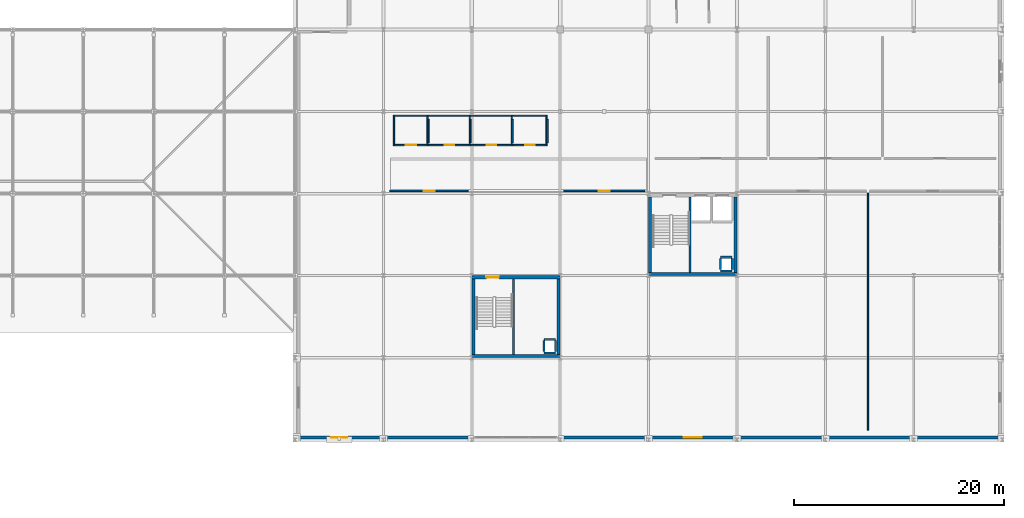
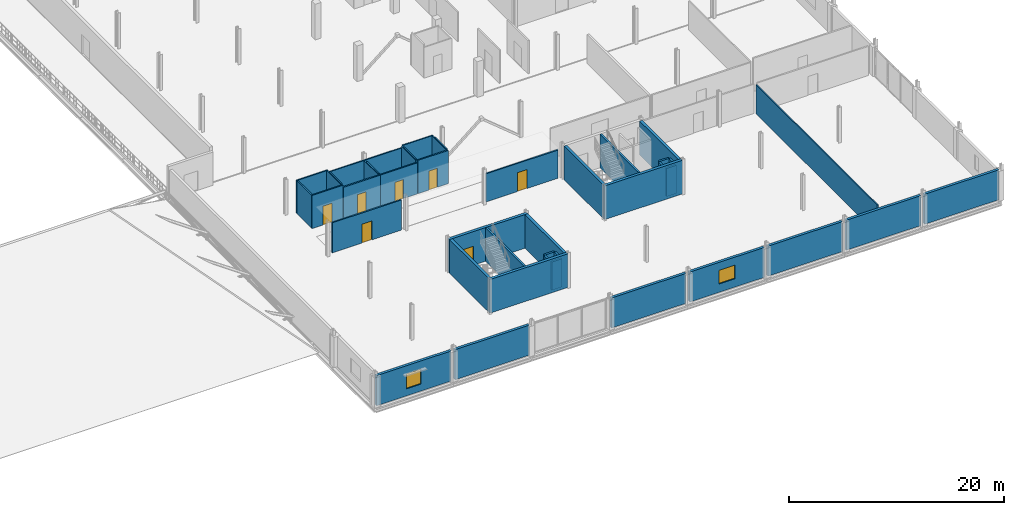
# One storey, part 58 of 77: 44 walls, 7 doors, 2 windows, 9 openings.
"""IFC4 building model written with IfcOpenShell, lengths in metres."""

from ifc_helpers import new_model, si_unit, direction, frame, frame_2d, origin, place, context, subcontext, project, spatial, rectangle, extrude, material, layer, layer_set, type_object, element, fill, save


model = new_model("IFC4")

# Units and contexts
model_context = context("Model", 3, precision=1e-05, world=origin(), true_north=direction((0.0, 1.0)))
body_context = subcontext(model_context, "Body", "Model", "MODEL_VIEW")
ifc_project = project(units=[si_unit("LENGTHUNIT", "METRE"), si_unit("AREAUNIT", "SQUARE_METRE"), si_unit("VOLUMEUNIT", "CUBIC_METRE"), si_unit("PLANEANGLEUNIT", "RADIAN"), si_unit("MASSUNIT", "GRAM", prefix="KILO")], contexts=[model_context])

# Site, building, storey
site_placement = place(None, origin())
site = spatial("IfcSite", under=ifc_project, at=site_placement, CompositionType="ELEMENT")
building_placement = place(site_placement, origin())
building = spatial("IfcBuilding", under=site, at=building_placement, Name="Nabrawat Pavilion Hospital", CompositionType="ELEMENT")
storey_placement = place(building_placement, frame((0.0, 0.0, 14.85009765625)))
storey = spatial("IfcBuildingStorey", under=building, at=storey_placement, Name="L03", CompositionType="ELEMENT", Elevation=14.85009765625)

# Wall, opening, door
ifc_material_1 = material(Name="Gypsum Fireboard on Steel Stud", Category="steel")
ifc_layer_1 = layer(ifc_material_1, 0.14990234375, Name="Gypsum Fireboard on Steel Stud")
ifc_layer_set_1 = layer_set([ifc_layer_1], Name="Gypsum Fireboard on Steel Stud")
wall_type_1 = type_object("IfcWallType", Name="Clinical Corridor Smoke-Barrier Wall 150", PredefinedType="PARTITIONING", material=ifc_layer_set_1)
wall_1_placement = place(storey_placement, frame((135.3349609375, 28.0, 0.0), z_axis=(0.0, 0.0, 1.0), x_axis=(1.0, 0.0, 0.0)))
wall_1 = element("IfcWall", 1, at=wall_1_placement, inside=storey, type_object=wall_type_1, Name="L03 L03 Accessible WC Front Partition", PredefinedType="PARTITIONING", context=body_context, shape_type="SweptSolid", body=[
    extrude(rectangle(XDim=3.330078125, YDim=0.14990234375, at=frame_2d((1.6650390625, 0.0))), origin(), (0.0, 0.0, 1.0), 3.77001953125),
])
opening_1_placement = place(wall_1_placement, frame((1.1650390625, 0.0, 0.0)))
opening_1 = element("IfcOpeningElement", 2, at=opening_1_placement, cuts=wall_1, Name="Opening D-WC-ACC", PredefinedType="OPENING", context=body_context, shape_type="SweptSolid", body=[
    extrude(rectangle(XDim=1.0, YDim=2.14990234375, at=frame_2d((0.5, 1.074951171875))), frame((0.0, 0.0849609375, 0.0), z_axis=(0.0, -1.0, 0.0), x_axis=(1.0, 0.0, 0.0)), (0.0, 0.0, 1.0), 0.169921875),
])
ifc_material_2 = material(Name="Stainless-Clad Acoustic Timber and Vision Glass", Category="wood")
door_type_1 = type_object("IfcDoorType", Name="Accessible Washroom Outward Door 1000x2150", OperationType="NOTDEFINED", PredefinedType="DOOR", material=ifc_material_2)
door_1_placement = place(opening_1_placement, origin())
door_1 = element("IfcDoor", 3, at=door_1_placement, inside=storey, type_object=door_type_1, Name="L03 Accessible WC Door", OperationType="SINGLE_SWING_LEFT", OverallHeight=2.14990234375, OverallWidth=1.0, PredefinedType="DOOR", context=body_context, shape_type="SweptSolid", body=[
    extrude(rectangle(XDim=1.0, YDim=2.14990234375, at=frame_2d((0.5, 1.074951171875))), frame((0.0, 0.02490234375, 0.0), z_axis=(0.0, -1.0, 0.0), x_axis=(1.0, 0.0, 0.0)), (0.0, 0.0, 1.0), 0.050048828125),
])
fill(opening_1, door_1)

wall_2_placement = place(storey_placement, frame((138.695068359375, 28.0, 0.0), z_axis=(0.0, 0.0, 1.0), x_axis=(1.0, 0.0, 0.0)))
wall_2 = element("IfcWall", 4, at=wall_2_placement, inside=storey, type_object=wall_type_1, Name="L03 L03 Visitor Female Washroom Front Partition", PredefinedType="PARTITIONING", context=body_context, shape_type="SweptSolid", body=[
    extrude(rectangle(XDim=3.969970703125, YDim=0.14990234375, at=frame_2d((1.98486328125, 0.0))), origin(), (0.0, 0.0, 1.0), 3.52001953125),
])
opening_2_placement = place(wall_2_placement, frame((1.52490234375, 0.0, 0.0)))
opening_2 = element("IfcOpeningElement", 5, at=opening_2_placement, cuts=wall_2, Name="Opening D-WC-STD", PredefinedType="OPENING", context=body_context, shape_type="SweptSolid", body=[
    extrude(rectangle(XDim=0.919921875, YDim=2.14990234375, at=frame_2d((0.4599609375, 1.074951171875))), frame((0.0, 0.0849609375, 0.0), z_axis=(0.0, -1.0, 0.0), x_axis=(1.0, 0.0, 0.0)), (0.0, 0.0, 1.0), 0.169921875),
])
door_type_2 = type_object("IfcDoorType", Name="Washroom Lobby Privacy Door 920x2150", OperationType="NOTDEFINED", PredefinedType="DOOR", material=ifc_material_2)
door_2_placement = place(opening_2_placement, origin())
door_2 = element("IfcDoor", 6, at=door_2_placement, inside=storey, type_object=door_type_2, Name="L03 Visitor Female Washroom Door", OperationType="SINGLE_SWING_RIGHT", OverallHeight=2.14990234375, OverallWidth=0.919921875, PredefinedType="DOOR", context=body_context, shape_type="SweptSolid", body=[
    extrude(rectangle(XDim=0.919921875, YDim=2.14990234375, at=frame_2d((0.4599609375, 1.074951171875))), frame((0.0, 0.02490234375, 0.0), z_axis=(0.0, -1.0, 0.0), x_axis=(1.0, 0.0, 0.0)), (0.0, 0.0, 1.0), 0.050048828125),
])
fill(opening_2, door_2)

wall_3_placement = place(storey_placement, frame((142.695068359375, 28.0, 0.0), z_axis=(0.0, 0.0, 1.0), x_axis=(1.0, 0.0, 0.0)))
wall_3 = element("IfcWall", 7, at=wall_3_placement, inside=storey, type_object=wall_type_1, Name="L03 L03 Visitor Male Washroom Front Partition", PredefinedType="PARTITIONING", context=body_context, shape_type="SweptSolid", body=[
    extrude(rectangle(XDim=3.969970703125, YDim=0.14990234375, at=frame_2d((1.98486328125, 0.0))), origin(), (0.0, 0.0, 1.0), 3.52001953125),
])
opening_3_placement = place(wall_3_placement, frame((1.52490234375, 0.0, 0.0)))
opening_3 = element("IfcOpeningElement", 8, at=opening_3_placement, cuts=wall_3, Name="Opening D-WC-STD", PredefinedType="OPENING", context=body_context, shape_type="SweptSolid", body=[
    extrude(rectangle(XDim=0.919921875, YDim=2.14990234375, at=frame_2d((0.4599609375, 1.074951171875))), frame((0.0, 0.0849609375, 0.0), z_axis=(0.0, -1.0, 0.0), x_axis=(1.0, 0.0, 0.0)), (0.0, 0.0, 1.0), 0.169921875),
])
door_3_placement = place(opening_3_placement, origin())
door_3 = element("IfcDoor", 9, at=door_3_placement, inside=storey, type_object=door_type_2, Name="L03 Visitor Male Washroom Door", OperationType="SINGLE_SWING_LEFT", OverallHeight=2.14990234375, OverallWidth=0.919921875, PredefinedType="DOOR", context=body_context, shape_type="SweptSolid", body=[
    extrude(rectangle(XDim=0.919921875, YDim=2.14990234375, at=frame_2d((0.4599609375, 1.074951171875))), frame((0.0, 0.02490234375, 0.0), z_axis=(0.0, -1.0, 0.0), x_axis=(1.0, 0.0, 0.0)), (0.0, 0.0, 1.0), 0.050048828125),
])
fill(opening_3, door_3)

wall_4_placement = place(storey_placement, frame((146.695068359375, 28.0, 0.0), z_axis=(0.0, 0.0, 1.0), x_axis=(1.0, 0.0, 0.0)))
wall_4 = element("IfcWall", 10, at=wall_4_placement, inside=storey, type_object=wall_type_1, Name="L03 L03 Clinical Staff WC Front Partition", PredefinedType="PARTITIONING", context=body_context, shape_type="SweptSolid", body=[
    extrude(rectangle(XDim=3.27001953125, YDim=0.14990234375, at=frame_2d((1.635009765625, 0.0))), origin(), (0.0, 0.0, 1.0), 3.77001953125),
])
opening_4_placement = place(wall_4_placement, frame((1.175048828125, 0.0, 0.0)))
opening_4 = element("IfcOpeningElement", 11, at=opening_4_placement, cuts=wall_4, Name="Opening D-WC-STD", PredefinedType="OPENING", context=body_context, shape_type="SweptSolid", body=[
    extrude(rectangle(XDim=0.919921875, YDim=2.14990234375, at=frame_2d((0.4599609375, 1.074951171875))), frame((0.0, 0.0849609375, 0.0), z_axis=(0.0, -1.0, 0.0), x_axis=(1.0, 0.0, 0.0)), (0.0, 0.0, 1.0), 0.169921875),
])
door_4_placement = place(opening_4_placement, origin())
door_4 = element("IfcDoor", 12, at=door_4_placement, inside=storey, type_object=door_type_2, Name="L03 Clinical Staff WC Door", OperationType="SINGLE_SWING_RIGHT", OverallHeight=2.14990234375, OverallWidth=0.919921875, PredefinedType="DOOR", context=body_context, shape_type="SweptSolid", body=[
    extrude(rectangle(XDim=0.919921875, YDim=2.14990234375, at=frame_2d((0.4599609375, 1.074951171875))), frame((0.0, 0.02490234375, 0.0), z_axis=(0.0, -1.0, 0.0), x_axis=(1.0, 0.0, 0.0)), (0.0, 0.0, 1.0), 0.050048828125),
])
fill(opening_4, door_4)

wall_5_placement = place(storey_placement, frame((135.02001953125, 23.659912109375, 0.0), z_axis=(0.0, 0.0, 1.0), x_axis=(1.0, 0.0, 0.0)))
wall_5 = element("IfcWall", 13, at=wall_5_placement, inside=storey, type_object=wall_type_1, Name="L03 Outpatient Clinic Oncology Consultation Room L03-01 Front Partition", PredefinedType="PARTITIONING", context=body_context, shape_type="SweptSolid", body=[
    extrude(rectangle(XDim=7.429931640625, YDim=0.14990234375, at=frame_2d((3.71484375, 0.0))), origin(), (0.0, 0.0, 1.0), 3.419921875),
])
opening_5_placement = place(wall_5_placement, frame((3.18994140625, 0.0, 0.0)))
opening_5 = element("IfcOpeningElement", 14, at=opening_5_placement, cuts=wall_5, Name="Opening D-OPC-R", PredefinedType="OPENING", context=body_context, shape_type="SweptSolid", body=[
    extrude(rectangle(XDim=1.050048828125, YDim=2.14990234375, at=frame_2d((0.52490234375, 1.074951171875))), frame((0.0, 0.0849609375, 0.0), z_axis=(0.0, -1.0, 0.0), x_axis=(1.0, 0.0, 0.0)), (0.0, 0.0, 1.0), 0.169921875),
])
door_type_3 = type_object("IfcDoorType", Name="Outpatient Clinic Consultation Door R 1050x2150", OperationType="NOTDEFINED", PredefinedType="DOOR", material=ifc_material_2)
door_5_placement = place(opening_5_placement, origin())
door_5 = element("IfcDoor", 15, at=door_5_placement, inside=storey, type_object=door_type_3, Name="Outpatient Clinic Oncology Consultation Room L03-01 Door", OperationType="SINGLE_SWING_LEFT", OverallHeight=2.14990234375, OverallWidth=1.050048828125, PredefinedType="DOOR", context=body_context, shape_type="SweptSolid", body=[
    extrude(rectangle(XDim=1.050048828125, YDim=2.14990234375, at=frame_2d((0.52490234375, 1.074951171875))), frame((0.0, 0.02490234375, 0.0), z_axis=(0.0, -1.0, 0.0), x_axis=(1.0, 0.0, 0.0)), (0.0, 0.0, 1.0), 0.050048828125),
])
fill(opening_5, door_5)

wall_6_placement = place(storey_placement, frame((151.52001953125, 23.659912109375, 0.0), z_axis=(0.0, 0.0, 1.0), x_axis=(1.0, 0.0, 0.0)))
wall_6 = element("IfcWall", 16, at=wall_6_placement, inside=storey, type_object=wall_type_1, Name="L03 Outpatient Clinic Pulmonology Room L03-02 Front Partition", PredefinedType="PARTITIONING", context=body_context, shape_type="SweptSolid", body=[
    extrude(rectangle(XDim=7.72998046875, YDim=0.14990234375, at=frame_2d((3.864990234375, 0.0))), origin(), (0.0, 0.0, 1.0), 3.199951171875),
])
opening_6_placement = place(wall_6_placement, frame((3.340087890625, 0.0, 0.0)))
opening_6 = element("IfcOpeningElement", 17, at=opening_6_placement, cuts=wall_6, Name="Opening D-OPC-L", PredefinedType="OPENING", context=body_context, shape_type="SweptSolid", body=[
    extrude(rectangle(XDim=1.050048828125, YDim=2.14990234375, at=frame_2d((0.52490234375, 1.074951171875))), frame((0.0, 0.0849609375, 0.0), z_axis=(0.0, -1.0, 0.0), x_axis=(1.0, 0.0, 0.0)), (0.0, 0.0, 1.0), 0.169921875),
])
door_type_4 = type_object("IfcDoorType", Name="Outpatient Clinic Consultation Door L 1050x2150", OperationType="NOTDEFINED", PredefinedType="DOOR", material=ifc_material_2)
door_6_placement = place(opening_6_placement, origin())
door_6 = element("IfcDoor", 18, at=door_6_placement, inside=storey, type_object=door_type_4, Name="Outpatient Clinic Pulmonology Room L03-02 Door", OperationType="SINGLE_SWING_RIGHT", OverallHeight=2.14990234375, OverallWidth=1.050048828125, PredefinedType="DOOR", context=body_context, shape_type="SweptSolid", body=[
    extrude(rectangle(XDim=1.050048828125, YDim=2.14990234375, at=frame_2d((0.52490234375, 1.074951171875))), frame((0.0, 0.02490234375, 0.0), z_axis=(0.0, -1.0, 0.0), x_axis=(1.0, 0.0, 0.0)), (0.0, 0.0, 1.0), 0.050048828125),
])
fill(opening_6, door_6)

# Walls
ifc_material_3 = material(Name="Cement Board on Steel Stud", Category="steel")
ifc_layer_2 = layer(ifc_material_3, 0.1298828125, Name="Cement Board on Steel Stud")
ifc_layer_set_2 = layer_set([ifc_layer_2], Name="Cement Board on Steel Stud")
wall_type_2 = type_object("IfcWallType", Name="En-Suite Moisture-Resistant Partition 130", PredefinedType="PARTITIONING", material=ifc_layer_set_2)
wall_7_placement = place(storey_placement, frame((135.3349609375, 30.800048828125, 0.0), z_axis=(0.0, 0.0, 1.0), x_axis=(1.0, 0.0, 0.0)))
element("IfcWall", 19, at=wall_7_placement, inside=storey, type_object=wall_type_2, Name="L03 L03 Accessible WC North Partition", PredefinedType="PARTITIONING", context=body_context, shape_type="SweptSolid", body=[
    extrude(rectangle(XDim=3.330078125, YDim=0.1298828125, at=frame_2d((1.6650390625, 0.0))), origin(), (0.0, 0.0, 1.0), 3.77001953125),
])
for number, where, z_axis, x_axis, name in (
    (20, (135.39990234375, 28.06494140625, 0.0), (0.0, 0.0, 1.0), (0.0, 1.0, 0.0), "L03 L03 Accessible WC West Partition"),
    (21, (138.60009765625, 28.06494140625, 0.0), (0.0, 0.0, 1.0), (0.0, 1.0, 0.0), "L03 L03 Accessible WC East Partition"),
):
    element("IfcWall", number, at=place(storey_placement, frame(where, z_axis=z_axis, x_axis=x_axis)), inside=storey, type_object=wall_type_2, Name=name, PredefinedType="PARTITIONING", context=body_context, shape_type="SweptSolid", body=[
        extrude(rectangle(XDim=2.670166015625, YDim=0.1298828125, at=frame_2d((1.3349609375, 0.0))), origin(), (0.0, 0.0, 1.0), 3.77001953125),
    ])
wall_8_placement = place(storey_placement, frame((138.679931640625, 28.219970703125, 0.0), z_axis=(0.0, 0.0, 1.0), x_axis=(0.0, 1.0, 0.0)))
element("IfcWall", 22, at=wall_8_placement, inside=storey, type_object=wall_type_2, Name="L03 L03 Accessible WC Dividing Partition", PredefinedType="PARTITIONING", context=body_context, shape_type="SweptSolid", body=[
    extrude(rectangle(XDim=2.22998046875, YDim=0.1298828125, at=frame_2d((1.114990234375, 0.0))), origin(), (0.0, 0.0, 1.0), 3.77001953125),
])
wall_9_placement = place(storey_placement, frame((138.695068359375, 30.800048828125, 0.0), z_axis=(0.0, 0.0, 1.0), x_axis=(1.0, 0.0, 0.0)))
element("IfcWall", 23, at=wall_9_placement, inside=storey, type_object=wall_type_2, Name="L03 L03 Visitor Female Washroom North Partition", PredefinedType="PARTITIONING", context=body_context, shape_type="SweptSolid", body=[
    extrude(rectangle(XDim=3.969970703125, YDim=0.1298828125, at=frame_2d((1.98486328125, 0.0))), origin(), (0.0, 0.0, 1.0), 3.52001953125),
])
wall_10_placement = place(storey_placement, frame((142.60009765625, 28.06494140625, 0.0), z_axis=(0.0, 0.0, 1.0), x_axis=(0.0, 1.0, 0.0)))
element("IfcWall", 24, at=wall_10_placement, inside=storey, type_object=wall_type_2, Name="L03 L03 Visitor Female Washroom East Partition", PredefinedType="PARTITIONING", context=body_context, shape_type="SweptSolid", body=[
    extrude(rectangle(XDim=2.670166015625, YDim=0.1298828125, at=frame_2d((1.3349609375, 0.0))), origin(), (0.0, 0.0, 1.0), 3.52001953125),
])
wall_11_placement = place(storey_placement, frame((142.679931640625, 28.219970703125, 0.0), z_axis=(0.0, 0.0, 1.0), x_axis=(0.0, 1.0, 0.0)))
element("IfcWall", 25, at=wall_11_placement, inside=storey, type_object=wall_type_2, Name="L03 L03 Visitor Female Washroom Dividing Partition", PredefinedType="PARTITIONING", context=body_context, shape_type="SweptSolid", body=[
    extrude(rectangle(XDim=2.22998046875, YDim=0.1298828125, at=frame_2d((1.114990234375, 0.0))), origin(), (0.0, 0.0, 1.0), 3.52001953125),
])
wall_12_placement = place(storey_placement, frame((142.695068359375, 30.800048828125, 0.0), z_axis=(0.0, 0.0, 1.0), x_axis=(1.0, 0.0, 0.0)))
element("IfcWall", 26, at=wall_12_placement, inside=storey, type_object=wall_type_2, Name="L03 L03 Visitor Male Washroom North Partition", PredefinedType="PARTITIONING", context=body_context, shape_type="SweptSolid", body=[
    extrude(rectangle(XDim=3.969970703125, YDim=0.1298828125, at=frame_2d((1.98486328125, 0.0))), origin(), (0.0, 0.0, 1.0), 3.52001953125),
])
wall_13_placement = place(storey_placement, frame((146.60009765625, 28.06494140625, 0.0), z_axis=(0.0, 0.0, 1.0), x_axis=(0.0, 1.0, 0.0)))
element("IfcWall", 27, at=wall_13_placement, inside=storey, type_object=wall_type_2, Name="L03 L03 Visitor Male Washroom East Partition", PredefinedType="PARTITIONING", context=body_context, shape_type="SweptSolid", body=[
    extrude(rectangle(XDim=2.670166015625, YDim=0.1298828125, at=frame_2d((1.3349609375, 0.0))), origin(), (0.0, 0.0, 1.0), 3.77001953125),
])
wall_14_placement = place(storey_placement, frame((146.679931640625, 28.219970703125, 0.0), z_axis=(0.0, 0.0, 1.0), x_axis=(0.0, 1.0, 0.0)))
element("IfcWall", 28, at=wall_14_placement, inside=storey, type_object=wall_type_2, Name="L03 L03 Visitor Male Washroom Dividing Partition", PredefinedType="PARTITIONING", context=body_context, shape_type="SweptSolid", body=[
    extrude(rectangle(XDim=2.22998046875, YDim=0.1298828125, at=frame_2d((1.114990234375, 0.0))), origin(), (0.0, 0.0, 1.0), 3.77001953125),
])
wall_15_placement = place(storey_placement, frame((146.695068359375, 30.800048828125, 0.0), z_axis=(0.0, 0.0, 1.0), x_axis=(1.0, 0.0, 0.0)))
element("IfcWall", 29, at=wall_15_placement, inside=storey, type_object=wall_type_2, Name="L03 L03 Clinical Staff WC North Partition", PredefinedType="PARTITIONING", context=body_context, shape_type="SweptSolid", body=[
    extrude(rectangle(XDim=3.27001953125, YDim=0.1298828125, at=frame_2d((1.635009765625, 0.0))), origin(), (0.0, 0.0, 1.0), 3.77001953125),
])
wall_16_placement = place(storey_placement, frame((149.89990234375, 28.06494140625, 0.0), z_axis=(0.0, 0.0, 1.0), x_axis=(0.0, 1.0, 0.0)))
element("IfcWall", 30, at=wall_16_placement, inside=storey, type_object=wall_type_2, Name="L03 L03 Clinical Staff WC East Partition", PredefinedType="PARTITIONING", context=body_context, shape_type="SweptSolid", body=[
    extrude(rectangle(XDim=2.670166015625, YDim=0.1298828125, at=frame_2d((1.3349609375, 0.0))), origin(), (0.0, 0.0, 1.0), 3.77001953125),
])
wall_17_placement = place(storey_placement, frame((149.97998046875, 28.219970703125, 0.0), z_axis=(0.0, 0.0, 1.0), x_axis=(0.0, 1.0, 0.0)))
element("IfcWall", 31, at=wall_17_placement, inside=storey, type_object=wall_type_2, Name="L03 L03 Clinical Staff WC Dividing Partition", PredefinedType="PARTITIONING", context=body_context, shape_type="SweptSolid", body=[
    extrude(rectangle(XDim=2.22998046875, YDim=0.1298828125, at=frame_2d((1.114990234375, 0.0))), origin(), (0.0, 0.0, 1.0), 3.77001953125),
])

# Wall, opening, window
ifc_material_4 = material(Name="Precast concrete C40/50", Category="concrete")
ifc_layer_3 = layer(ifc_material_4, 0.280029296875, Name="Precast concrete C40/50")
ifc_layer_set_3 = layer_set([ifc_layer_3], Name="Precast concrete C40/50")
wall_type_3 = type_object("IfcWallType", Name="Insulated Precast Facade Wall 280", PredefinedType="SOLIDWALL", material=ifc_layer_set_3)
wall_18_placement = place(storey_placement, frame((126.199951171875, 0.219970703125, 0.0), z_axis=(0.0, 0.0, 1.0), x_axis=(1.0, 0.0, 0.0)))
wall_18 = element("IfcWall", 32, at=wall_18_placement, inside=storey, type_object=wall_type_3, Name="L03 Insulated Precast Facade Wall 280 321", PredefinedType="SOLIDWALL", context=body_context, shape_type="SweptSolid", body=[
    extrude(rectangle(XDim=8.0, YDim=0.280029296875, at=frame_2d((4.0, 0.0))), origin(), (0.0, 0.0, 1.0), 3.419921875),
])
opening_7_placement = place(wall_18_placement, frame((3.22509765625, 0.0, 0.800048828125)))
opening_7 = element("IfcOpeningElement", 33, at=opening_7_placement, cuts=wall_18, Name="Opening WN-24", PredefinedType="OPENING", context=body_context, shape_type="SweptSolid", body=[
    extrude(rectangle(XDim=1.550048828125, YDim=1.699951171875, at=frame_2d((0.77490234375, 0.85009765625))), frame((0.0, 0.14990234375, 0.0), z_axis=(0.0, -1.0, 0.0), x_axis=(1.0, 0.0, 0.0)), (0.0, 0.0, 1.0), 0.300048828125),
])
ifc_material_5 = material(Name="Thermally Broken Aluminium and Solar Glass", Category="aluminium")
window_type_1 = type_object("IfcWindowType", Name="Maternity Birthing Suite Window 1550x1700", PartitioningType="SINGLE_PANEL", PredefinedType="WINDOW", material=ifc_material_5)
window_1_placement = place(opening_7_placement, origin())
window_1 = element("IfcWindow", 34, at=window_1_placement, inside=storey, type_object=window_type_1, Name="L03 Maternity Birthing Suite Window 1550x1700 120", OverallHeight=1.699951171875, OverallWidth=1.550048828125, PartitioningType="SINGLE_PANEL", PredefinedType="WINDOW", context=body_context, shape_type="SweptSolid", body=[
    extrude(rectangle(XDim=1.550048828125, YDim=1.699951171875, at=frame_2d((0.77490234375, 0.85009765625))), frame((0.0, 0.030029296875, 0.0), z_axis=(0.0, -1.0, 0.0), x_axis=(1.0, 0.0, 0.0)), (0.0, 0.0, 1.0), 0.06005859375),
])
fill(opening_7, window_1)

# Walls
wall_19_placement = place(storey_placement, frame((134.60009765625, 0.219970703125, 0.0), z_axis=(0.0, 0.0, 1.0), x_axis=(1.0, 0.0, 0.0)))
element("IfcWall", 35, at=wall_19_placement, inside=storey, type_object=wall_type_3, Name="L03 Insulated Precast Facade Wall 280 322", PredefinedType="SOLIDWALL", context=body_context, shape_type="SweptSolid", body=[
    extrude(rectangle(XDim=8.0, YDim=0.280029296875, at=frame_2d((4.0, 0.0))), origin(), (0.0, 0.0, 1.0), 3.409912109375),
])
wall_20_placement = place(storey_placement, frame((151.39990234375, 0.219970703125, 0.0), z_axis=(0.0, 0.0, 1.0), x_axis=(1.0, 0.0, 0.0)))
element("IfcWall", 36, at=wall_20_placement, inside=storey, type_object=wall_type_3, Name="L03 Insulated Precast Facade Wall 280 323", PredefinedType="SOLIDWALL", context=body_context, shape_type="SweptSolid", body=[
    extrude(rectangle(XDim=8.0, YDim=0.280029296875, at=frame_2d((4.0, 0.0))), origin(), (0.0, 0.0, 1.0), 3.39990234375),
])

# Wall, opening, window
wall_21_placement = place(storey_placement, frame((159.800048828125, 0.219970703125, 0.0), z_axis=(0.0, 0.0, 1.0), x_axis=(1.0, 0.0, 0.0)))
wall_21 = element("IfcWall", 37, at=wall_21_placement, inside=storey, type_object=wall_type_3, Name="L03 Insulated Precast Facade Wall 280 324", PredefinedType="SOLIDWALL", context=body_context, shape_type="SweptSolid", body=[
    extrude(rectangle(XDim=8.0, YDim=0.280029296875, at=frame_2d((4.0, 0.0))), origin(), (0.0, 0.0, 1.0), 3.39990234375),
])
opening_8_placement = place(wall_21_placement, frame((3.14990234375, 0.0, 0.949951171875)))
opening_8 = element("IfcOpeningElement", 38, at=opening_8_placement, cuts=wall_21, Name="Opening WN-25", PredefinedType="OPENING", context=body_context, shape_type="SweptSolid", body=[
    extrude(rectangle(XDim=1.699951171875, YDim=1.550048828125, at=frame_2d((0.85009765625, 0.77490234375))), frame((0.0, 0.14990234375, 0.0), z_axis=(0.0, -1.0, 0.0), x_axis=(1.0, 0.0, 0.0)), (0.0, 0.0, 1.0), 0.300048828125),
])
window_type_2 = type_object("IfcWindowType", Name="Cardiology Telemetry Window 1700x1550", PartitioningType="SINGLE_PANEL", PredefinedType="WINDOW", material=ifc_material_5)
window_2_placement = place(opening_8_placement, origin())
window_2 = element("IfcWindow", 39, at=window_2_placement, inside=storey, type_object=window_type_2, Name="L03 Cardiology Telemetry Window 1700x1550 121", OverallHeight=1.550048828125, OverallWidth=1.699951171875, PartitioningType="SINGLE_PANEL", PredefinedType="WINDOW", context=body_context, shape_type="SweptSolid", body=[
    extrude(rectangle(XDim=1.699951171875, YDim=1.550048828125, at=frame_2d((0.85009765625, 0.77490234375))), frame((0.0, 0.030029296875, 0.0), z_axis=(0.0, -1.0, 0.0), x_axis=(1.0, 0.0, 0.0)), (0.0, 0.0, 1.0), 0.06005859375),
])
fill(opening_8, window_2)

# Walls
for number, where, z_axis, x_axis, name in (
    (40, (168.199951171875, 0.219970703125, 0.0), (0.0, 0.0, 1.0), (1.0, 0.0, 0.0), "L03 Insulated Precast Facade Wall 280 325"),
    (41, (176.60009765625, 0.219970703125, 0.0), (0.0, 0.0, 1.0), (1.0, 0.0, 0.0), "L03 Insulated Precast Facade Wall 280 326"),
    (42, (185.0, 0.219970703125, 0.0), (0.0, 0.0, 1.0), (1.0, 0.0, 0.0), "L03 Insulated Precast Facade Wall 280 327"),
):
    element("IfcWall", number, at=place(storey_placement, frame(where, z_axis=z_axis, x_axis=x_axis)), inside=storey, type_object=wall_type_3, Name=name, PredefinedType="SOLIDWALL", context=body_context, shape_type="SweptSolid", body=[
        extrude(rectangle(XDim=8.0, YDim=0.280029296875, at=frame_2d((4.0, 0.0))), origin(), (0.0, 0.0, 1.0), 3.39990234375),
    ])
ifc_material_6 = material(Name="Concrete C35/45", Category="concrete")
ifc_layer_4 = layer(ifc_material_6, 0.199951171875, Name="Concrete C35/45")
ifc_layer_set_4 = layer_set([ifc_layer_4], Name="Concrete C35/45")
wall_type_4 = type_object("IfcWallType", Name="Lift and Riser Fire Shaft Wall 200", PredefinedType="PARTITIONING", material=ifc_layer_set_4)
wall_22_placement = place(storey_placement, frame((163.550048828125, 15.919921875, 0.0), z_axis=(0.0, 0.0, 1.0), x_axis=(0.0, 1.0, 0.0)))
element("IfcWall", 43, at=wall_22_placement, inside=storey, type_object=wall_type_4, Name="L03 CORE-4 Stair-Lift Dividing Shear Wall", PredefinedType="SHEAR", context=body_context, shape_type="SweptSolid", body=[
    extrude(rectangle(XDim=7.16015625, YDim=0.199951171875, at=frame_2d((3.580078125, 0.0))), origin(), (0.0, 0.0, 1.0), 3.81982421875),
])
for number, where, z_axis, x_axis, name in (
    (44, (166.449951171875, 16.050048828125, 0.0), (0.0, 0.0, 1.0), (1.0, 0.0, 0.0), "L03 CORE-4 MEP Riser Shaft Wall S"),
    (45, (166.449951171875, 17.35009765625, 0.0), (0.0, 0.0, 1.0), (1.0, 0.0, 0.0), "L03 CORE-4 MEP Riser Shaft Wall N"),
):
    element("IfcWall", number, at=place(storey_placement, frame(where, z_axis=z_axis, x_axis=x_axis)), inside=storey, type_object=wall_type_4, Name=name, PredefinedType="PARTITIONING", context=body_context, shape_type="SweptSolid", body=[
        extrude(rectangle(XDim=1.10009765625, YDim=0.199951171875, at=frame_2d((0.550048828125, 0.0))), origin(), (0.0, 0.0, 1.0), 3.199951171875),
    ])
for number, where, z_axis, x_axis, name in (
    (46, (166.449951171875, 16.169921875, 0.0), (0.0, 0.0, 1.0), (0.0, 1.0, 0.0), "L03 CORE-4 MEP Riser Shaft Wall W"),
    (47, (167.550048828125, 16.169921875, 0.0), (0.0, 0.0, 1.0), (0.0, 1.0, 0.0), "L03 CORE-4 MEP Riser Shaft Wall E"),
):
    element("IfcWall", number, at=place(storey_placement, frame(where, z_axis=z_axis, x_axis=x_axis)), inside=storey, type_object=wall_type_4, Name=name, PredefinedType="PARTITIONING", context=body_context, shape_type="SweptSolid", body=[
        extrude(rectangle(XDim=1.06005859375, YDim=0.199951171875, at=frame_2d((0.530029296875, 0.0))), origin(), (0.0, 0.0, 1.0), 3.199951171875),
    ])
wall_23_placement = place(storey_placement, frame((146.75, 8.1201171875, 0.0), z_axis=(0.0, 0.0, 1.0), x_axis=(0.0, 1.0, 0.0)))
element("IfcWall", 48, at=wall_23_placement, inside=storey, type_object=wall_type_4, Name="L03 CORE-8 Stair-Lift Dividing Shear Wall", PredefinedType="SHEAR", context=body_context, shape_type="SweptSolid", body=[
    extrude(rectangle(XDim=7.159912109375, YDim=0.199951171875, at=frame_2d((3.580078125, 0.0))), origin(), (0.0, 0.0, 1.0), 3.81982421875),
])
for number, where, z_axis, x_axis, name in (
    (49, (149.64990234375, 8.25, 0.0), (0.0, 0.0, 1.0), (1.0, 0.0, 0.0), "L03 CORE-8 MEP Riser Shaft Wall S"),
    (50, (149.64990234375, 9.550048828125, 0.0), (0.0, 0.0, 1.0), (1.0, 0.0, 0.0), "L03 CORE-8 MEP Riser Shaft Wall N"),
):
    element("IfcWall", number, at=place(storey_placement, frame(where, z_axis=z_axis, x_axis=x_axis)), inside=storey, type_object=wall_type_4, Name=name, PredefinedType="PARTITIONING", context=body_context, shape_type="SweptSolid", body=[
        extrude(rectangle(XDim=1.10009765625, YDim=0.199951171875, at=frame_2d((0.550048828125, 0.0))), origin(), (0.0, 0.0, 1.0), 3.199951171875),
    ])
for number, where, z_axis, x_axis, name in (
    (51, (149.64990234375, 8.3701171875, 0.0), (0.0, 0.0, 1.0), (0.0, 1.0, 0.0), "L03 CORE-8 MEP Riser Shaft Wall W"),
    (52, (150.75, 8.3701171875, 0.0), (0.0, 0.0, 1.0), (0.0, 1.0, 0.0), "L03 CORE-8 MEP Riser Shaft Wall E"),
):
    element("IfcWall", number, at=place(storey_placement, frame(where, z_axis=z_axis, x_axis=x_axis)), inside=storey, type_object=wall_type_4, Name=name, PredefinedType="PARTITIONING", context=body_context, shape_type="SweptSolid", body=[
        extrude(rectangle(XDim=1.059814453125, YDim=0.199951171875, at=frame_2d((0.52978515625, 0.0))), origin(), (0.0, 0.0, 1.0), 3.199951171875),
    ])
ifc_material_7 = material(Name="Gypsum Plasterboard on Stud", Category="gypsum")
ifc_layer_5 = layer(ifc_material_7, 0.1201171875, Name="Gypsum Plasterboard on Stud")
ifc_layer_set_5 = layer_set([ifc_layer_5], Name="Gypsum Plasterboard on Stud")
wall_type_5 = type_object("IfcWallType", Name="Outpatient Consultation Partition 120", PredefinedType="PARTITIONING", material=ifc_layer_set_5)
wall_24_placement = place(storey_placement, frame((180.449951171875, 0.889892578125, 0.0), z_axis=(0.0, 0.0, 1.0), x_axis=(0.0, 1.0, 0.0)))
element("IfcWall", 53, at=wall_24_placement, inside=storey, type_object=wall_type_5, Name="L03 Outpatient Clinic Nephrology Room L03-03 Dividing Partition", PredefinedType="PARTITIONING", context=body_context, shape_type="SweptSolid", body=[
    extrude(rectangle(XDim=22.550048828125, YDim=0.1201171875, at=frame_2d((11.27490234375, 0.0))), origin(), (0.0, 0.0, 1.0), 3.2998046875),
])
ifc_material_8 = material(Name="Concrete C40/50", Category="concrete")
ifc_layer_6 = layer(ifc_material_8, 0.300048828125, Name="Concrete C40/50")
ifc_layer_set_6 = layer_set([ifc_layer_6], Name="Concrete C40/50")
wall_type_6 = type_object("IfcWallType", Name="Reinforced Concrete Core Shear Wall 300", PredefinedType="SHEAR", material=ifc_layer_set_6)
wall_25_placement = place(storey_placement, frame((159.60009765625, 15.75, 0.0), z_axis=(0.0, 0.0, 1.0), x_axis=(1.0, 0.0, 0.0)))
element("IfcWall", 54, at=wall_25_placement, inside=storey, type_object=wall_type_6, Name="L03 CORE-4 South Core Shear Wall", PredefinedType="SHEAR", context=body_context, shape_type="SweptSolid", body=[
    extrude(rectangle(XDim=8.39990234375, YDim=0.300048828125, at=frame_2d((4.199951171875, 0.0))), origin(), (0.0, 0.0, 1.0), 3.81982421875),
])
for number, where, z_axis, x_axis, name in (
    (55, (159.75, 15.89990234375, 0.0), (0.0, 0.0, 1.0), (0.0, 1.0, 0.0), "L03 CORE-4 West Core Shear Wall"),
    (56, (167.85009765625, 15.89990234375, 0.0), (0.0, 0.0, 1.0), (0.0, 1.0, 0.0), "L03 CORE-4 East Core Shear Wall"),
):
    element("IfcWall", number, at=place(storey_placement, frame(where, z_axis=z_axis, x_axis=x_axis)), inside=storey, type_object=wall_type_6, Name=name, PredefinedType="SHEAR", context=body_context, shape_type="SweptSolid", body=[
        extrude(rectangle(XDim=7.2001953125, YDim=0.300048828125, at=frame_2d((3.60009765625, 0.0))), origin(), (0.0, 0.0, 1.0), 3.81982421875),
    ])
wall_26_placement = place(storey_placement, frame((142.800048828125, 7.949951171875, 0.0), z_axis=(0.0, 0.0, 1.0), x_axis=(1.0, 0.0, 0.0)))
element("IfcWall", 57, at=wall_26_placement, inside=storey, type_object=wall_type_6, Name="L03 CORE-8 South Core Shear Wall", PredefinedType="SHEAR", context=body_context, shape_type="SweptSolid", body=[
    extrude(rectangle(XDim=8.39990234375, YDim=0.300048828125, at=frame_2d((4.199951171875, 0.0))), origin(), (0.0, 0.0, 1.0), 3.81982421875),
])

# Wall, opening, door
wall_27_placement = place(storey_placement, frame((142.800048828125, 15.449951171875, 0.0), z_axis=(0.0, 0.0, 1.0), x_axis=(1.0, 0.0, 0.0)))
wall_27 = element("IfcWall", 58, at=wall_27_placement, inside=storey, type_object=wall_type_6, Name="L03 CORE-8 North Core Shear Wall", PredefinedType="SHEAR", context=body_context, shape_type="SweptSolid", body=[
    extrude(rectangle(XDim=8.39990234375, YDim=0.300048828125, at=frame_2d((4.199951171875, 0.0))), origin(), (0.0, 0.0, 1.0), 3.81982421875),
])
opening_9_placement = place(wall_27_placement, frame((1.3798828125, 0.0, 0.0)))
opening_9 = element("IfcOpeningElement", 59, at=opening_9_placement, cuts=wall_27, Name="Opening D-STAIR", PredefinedType="OPENING", context=body_context, shape_type="SweptSolid", body=[
    extrude(rectangle(XDim=1.199951171875, YDim=2.14990234375, at=frame_2d((0.60009765625, 1.074951171875))), frame((0.0, 0.16015625, 0.0), z_axis=(0.0, -1.0, 0.0), x_axis=(1.0, 0.0, 0.0)), (0.0, 0.0, 1.0), 0.320068359375),
])
door_type_5 = type_object("IfcDoorType", Name="D-STAIR Exit Stair Fire Door 1200x2150", OperationType="NOTDEFINED", PredefinedType="DOOR", material=ifc_material_2)
door_7_placement = place(opening_9_placement, origin())
door_7 = element("IfcDoor", 60, at=door_7_placement, inside=storey, type_object=door_type_5, Name="L03 ST-08 Fire Exit Stair Door", OperationType="SINGLE_SWING_RIGHT", OverallHeight=2.14990234375, OverallWidth=1.199951171875, PredefinedType="DOOR", context=body_context, shape_type="SweptSolid", body=[
    extrude(rectangle(XDim=1.199951171875, YDim=2.14990234375, at=frame_2d((0.60009765625, 1.074951171875))), frame((0.0, 0.02490234375, 0.0), z_axis=(0.0, -1.0, 0.0), x_axis=(1.0, 0.0, 0.0)), (0.0, 0.0, 1.0), 0.050048828125),
])
fill(opening_9, door_7)

# Walls
for number, where, z_axis, x_axis, name in (
    (61, (142.949951171875, 8.10009765625, 0.0), (0.0, 0.0, 1.0), (0.0, 1.0, 0.0), "L03 CORE-8 West Core Shear Wall"),
    (62, (151.050048828125, 8.10009765625, 0.0), (0.0, 0.0, 1.0), (0.0, 1.0, 0.0), "L03 CORE-8 East Core Shear Wall"),
):
    element("IfcWall", number, at=place(storey_placement, frame(where, z_axis=z_axis, x_axis=x_axis)), inside=storey, type_object=wall_type_6, Name=name, PredefinedType="SHEAR", context=body_context, shape_type="SweptSolid", body=[
        extrude(rectangle(XDim=7.199951171875, YDim=0.300048828125, at=frame_2d((3.60009765625, 0.0))), origin(), (0.0, 0.0, 1.0), 3.81982421875),
    ])

save(model, "model.ifc")
